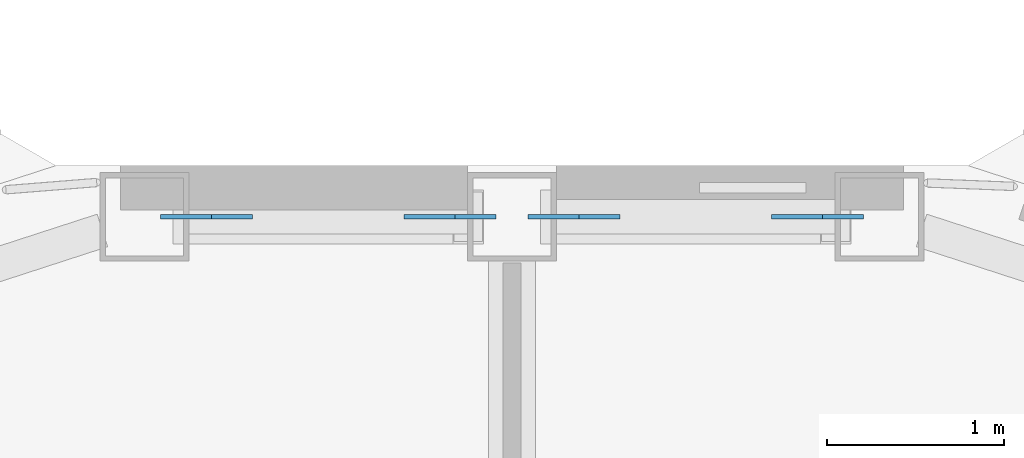
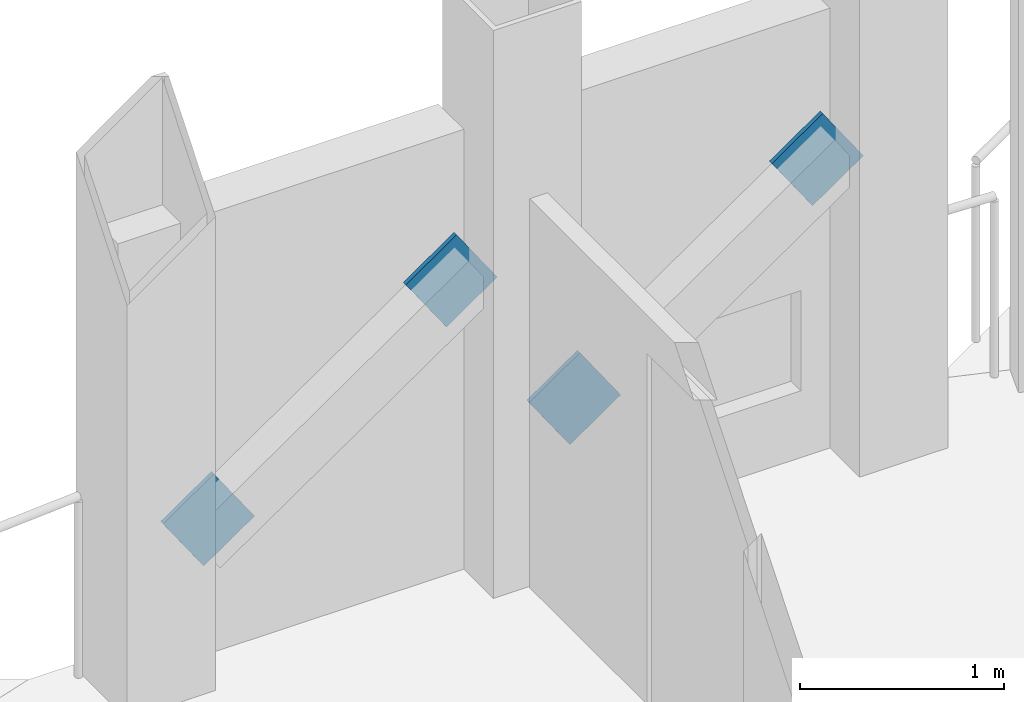
# One storey, part 21 of 26: 4 discrete accessories.
"""IFC4 building model written with IfcOpenShell, lengths in metres."""

import ifcopenshell
import ifcopenshell.guid

model = None  # the IFC model being written
_history = None  # IfcOwnerHistory: only IFC2X3 demands one
_inside = {}  # id of a spatial element -> (the spatial element, [elements in it])
_under = {}  # id of a project, library or spatial element -> (it, [spatial elements below it])
_declared = {}  # id of a project -> (the project, [libraries it declares])
_typed = {}  # id of a type object -> (the type object, [elements of that type])
_made_of = {}  # id of a material, layer set ... -> (it, [elements and type objects made of it])


def new_model(schema):
    """Start an empty IFC model of exactly this schema.

    Asked for "IFC4X3", IfcOpenShell would pick the latest addendum, in which some entities
    have other attributes; the version numbers below select the first issue.
    IFC2X3 requires an IfcOwnerHistory on every rooted entity: one is made here for all.
    """
    global model, _history
    if schema == "IFC4X3":
        model = ifcopenshell.file(schema_version=(4, 3, 0, 0))
    else:
        model = ifcopenshell.file(schema=schema)
    _inside.clear()
    _under.clear()
    _declared.clear()
    _typed.clear()
    _made_of.clear()
    _history = None
    if model.schema == "IFC2X3":
        org = make("IfcOrganization", Name="unknown")
        user = make(
            "IfcPersonAndOrganization",
            ThePerson=make("IfcPerson", FamilyName="unknown"),
            TheOrganization=org,
        )
        app = make(
            "IfcApplication",
            ApplicationDeveloper=org,
            Version="unknown",
            ApplicationFullName="unknown",
            ApplicationIdentifier="unknown",
        )
        _history = make(
            "IfcOwnerHistory",
            OwningUser=user,
            OwningApplication=app,
            ChangeAction="ADDED",
            CreationDate=0,
        )
    return model


def make(cls, **values):
    """One entity of the class cls with the attributes given. An attribute that is None is left unset."""
    return model.create_entity(
        cls, **{name: value for name, value in values.items() if value is not None}
    )


def rooted(cls, **values):
    """An entity with a GlobalId (a new one), such as an element, a storey or a relation."""
    return make(cls, GlobalId=ifcopenshell.guid.new(), OwnerHistory=_history, **values)


def si_unit(unit_type, name, prefix=None):
    """IfcSIUnit, for example si_unit("LENGTHUNIT", "METRE", prefix="MILLI")."""
    return make("IfcSIUnit", UnitType=unit_type, Prefix=prefix, Name=name)


def assignment(units):
    """IfcUnitAssignment: the units of a project."""
    return None if units is None else make("IfcUnitAssignment", Units=units)


def point(xyz):
    """IfcCartesianPoint."""
    return None if xyz is None else make("IfcCartesianPoint", Coordinates=xyz)


def direction(xyz):
    """IfcDirection."""
    return None if xyz is None else make("IfcDirection", DirectionRatios=xyz)


def frame(location, z_axis=None, x_axis=None):
    """IfcAxis2Placement3D, a coordinate frame: its origin and axes. An axis left out is left unset."""
    return make(
        "IfcAxis2Placement3D",
        Location=point(location),
        Axis=direction(z_axis),
        RefDirection=direction(x_axis),
    )


def frame_2d(location, x_axis=None):
    """IfcAxis2Placement2D, a coordinate frame in the plane: its origin and x axis."""
    return make(
        "IfcAxis2Placement2D", Location=point(location), RefDirection=direction(x_axis)
    )


def origin():
    """The frame at (0, 0, 0) with its axes left unset."""
    return frame((0.0, 0.0, 0.0))


def origin_2d():
    """The frame at (0, 0) in the plane with its x axis left unset."""
    return frame_2d((0.0, 0.0))


def place(relative_to, where):
    """IfcLocalPlacement: puts the frame where relative to a parent placement (None: the world)."""
    return make(
        "IfcLocalPlacement", PlacementRelTo=relative_to, RelativePlacement=where
    )


def context(
    kind, dimensions, precision=None, world=None, true_north=None, identifier=None
):
    """IfcGeometricRepresentationContext, for example the 3D "Model" context."""
    return make(
        "IfcGeometricRepresentationContext",
        ContextIdentifier=identifier,
        ContextType=kind,
        CoordinateSpaceDimension=dimensions,
        Precision=precision,
        WorldCoordinateSystem=world,
        TrueNorth=true_north,
    )


def subcontext(parent, identifier, kind, view, scale=None):
    """IfcGeometricRepresentationSubContext, for example "Body" below "Model"."""
    return make(
        "IfcGeometricRepresentationSubContext",
        ContextIdentifier=identifier,
        ContextType=kind,
        ParentContext=parent,
        TargetScale=scale,
        TargetView=view,
    )


def project(units=None, contexts=None):
    """IfcProject with its units and contexts."""
    return rooted(
        "IfcProject",
        Name="project",
        RepresentationContexts=contexts,
        UnitsInContext=assignment(units),
    )


def spatial(cls, under=None, at=None, **own):
    """A site, building, storey or space (cls), placed at a placement, below another one or the project."""
    s = rooted(cls, ObjectPlacement=at, **own)
    if under is not None:
        _under.setdefault(under.id(), (under, []))[1].append(s)
    return s


def profile(cls, at=None, kind="AREA", **sizes):
    """A parametric profile (cls). Its sizes go by their IFC names, for example OverallWidth=200.0."""
    return make(cls, ProfileType=kind, Position=at, **sizes)


def rectangle(**sizes):
    """IfcRectangleProfileDef."""
    return profile("IfcRectangleProfileDef", **sizes)


def extrude(swept, where, along, depth):
    """IfcExtrudedAreaSolid: the profile swept, set in the frame where, extruded along a direction by depth."""
    return make(
        "IfcExtrudedAreaSolid",
        SweptArea=swept,
        Position=where,
        ExtrudedDirection=direction(along),
        Depth=depth,
    )


def shape(context_of_items, identifier, shape_type, items):
    """IfcShapeRepresentation: the items that make up one representation, for example the "Body"."""
    return make(
        "IfcShapeRepresentation",
        ContextOfItems=context_of_items,
        RepresentationIdentifier=identifier,
        RepresentationType=shape_type,
        Items=items,
    )


def material(Name=None, Category=None):
    """IfcMaterial."""
    return make("IfcMaterial", Name=Name, Category=Category)


def material_profile(
    of_material, cross_section, Name=None, Category=None, Priority=None
):
    """IfcMaterialProfile: a cross section and its material."""
    return make(
        "IfcMaterialProfile",
        Name=Name,
        Material=of_material,
        Profile=cross_section,
        Priority=Priority,
        Category=Category,
    )


def profile_set(profiles, Name=None, composite=None):
    """IfcMaterialProfileSet."""
    return make(
        "IfcMaterialProfileSet",
        Name=Name,
        MaterialProfiles=profiles,
        CompositeProfile=composite,
    )


def made_of(thing, what):
    """Note that an element or type object is made of a material, layer set ...; save() writes the relation."""
    if what is not None:
        _made_of.setdefault(what.id(), (what, []))[1].append(thing)
    return thing


def type_object(cls, material=None, **own):
    """A type object (cls), such as IfcWallType, which elements share."""
    return made_of(rooted(cls, **own), material)


def element(
    cls,
    number,
    at=None,
    inside=None,
    cuts=None,
    type_object=None,
    material=None,
    context=None,
    identifier="Body",
    shape_type=None,
    held_by="IfcProductDefinitionShape",
    body=None,
    shapes=None,
    **own,
):
    """One element of the class cls, such as IfcWall. Its Tag is "e" and its number.

    at: its placement. inside: the storey or other place that contains it. cuts: it is an
    opening in that element (IfcRelVoidsElement). A single representation is given by context,
    identifier, shape_type and body (its items); several are given by shapes. held_by: the class
    of the entity that holds the representations. save() writes the other relations.
    """
    e = rooted(cls, Tag="e%d" % number, ObjectPlacement=at, **own)
    if body is not None:
        shapes = [shape(context, identifier, shape_type, body)]
    if shapes is not None:
        e.Representation = make(held_by, Representations=shapes)
    if inside is not None:
        _inside.setdefault(inside.id(), (inside, []))[1].append(e)
    if cuts is not None:
        rooted(
            "IfcRelVoidsElement", RelatingBuildingElement=cuts, RelatedOpeningElement=e
        )
    if type_object is not None:
        _typed.setdefault(type_object.id(), (type_object, []))[1].append(e)
    return made_of(e, material)


def aggregate(whole, parts):
    """IfcRelAggregates: a whole, such as a stair, and the parts it consists of."""
    return rooted("IfcRelAggregates", RelatingObject=whole, RelatedObjects=parts)


def save(model, path):
    """Write the relations noted so far, then the file.

    IfcRelAggregates (storeys below a building ...), IfcRelContainedInSpatialStructure (elements
    in a storey), IfcRelDefinesByType, IfcRelAssociatesMaterial and IfcRelDeclares: one each for
    every whole, place, type object, material and project.
    """
    for whole, parts in _under.values():
        aggregate(whole, parts)
    for where, things in _inside.values():
        rooted(
            "IfcRelContainedInSpatialStructure",
            RelatedElements=things,
            RelatingStructure=where,
        )
    for kind, things in _typed.values():
        rooted("IfcRelDefinesByType", RelatedObjects=things, RelatingType=kind)
    for what, things in _made_of.values():
        rooted("IfcRelAssociatesMaterial", RelatedObjects=things, RelatingMaterial=what)
    for by, libraries in _declared.values():
        rooted("IfcRelDeclares", RelatingContext=by, RelatedDefinitions=libraries)
    model.write(path)


model = new_model("IFC4")

# Units and contexts
model_context = context("Model", 3, precision=1e-05, world=origin(), true_north=direction((0.0, 1.0)))
body_context = subcontext(model_context, "Body", "Model", "MODEL_VIEW")
ifc_project = project(units=[si_unit("LENGTHUNIT", "METRE"), si_unit("AREAUNIT", "SQUARE_METRE"), si_unit("VOLUMEUNIT", "CUBIC_METRE"), si_unit("PLANEANGLEUNIT", "RADIAN"), si_unit("MASSUNIT", "GRAM", prefix="KILO")], contexts=[model_context])

# Site, building, storey
site_placement = place(None, origin())
site = spatial("IfcSite", under=ifc_project, at=site_placement, CompositionType="ELEMENT")
building_placement = place(site_placement, origin())
building = spatial("IfcBuilding", under=site, at=building_placement, Name="Cormorant Prow Tower", CompositionType="ELEMENT")
storey_placement = place(building_placement, frame((0.0, 0.0, 378.0)))
storey = spatial("IfcBuildingStorey", under=building, at=storey_placement, Name="L85", CompositionType="ELEMENT", Elevation=378.0)

# Discrete accessories
ifc_material = material(Name="Structural steel ASTM A500 Gr C", Category="steel")
ifc_material_profile = material_profile(ifc_material, rectangle(XDim=0.02490234375, YDim=0.405029296875, at=origin_2d()), Name="Gusset plate 25x405")
ifc_profile_set = profile_set([ifc_material_profile], Name="Structural steel ASTM A500 Gr C")
discrete_accessory_type = type_object("IfcDiscreteAccessoryType", Name="Gusset plate 25x405", PredefinedType="BRACKET", material=ifc_profile_set)
for number, where, z_axis, x_axis, name in (
    (1, (0.493408203125, 31.219482421875, 0.941162109375), (-0.822593864641, 0.0, -0.568629346635), (0.0, -1.0, 0.0), "Gusset plate GP3 L85.N00.g0"),
    (2, (1.580322265625, 31.219482421875, 1.692626953125), (0.822593864641, 0.0, 0.568629346635), (0.0, 1.0, 0.0), "Gusset plate GP3 L85.N00.g1"),
    (3, (-1.580322265625, 31.219482421875, 0.941162109375), (-0.822593864641, 0.0, -0.568629346635), (0.0, -1.0, 0.0), "Gusset plate GP3 L85.N01.g0"),
    (4, (-0.493408203125, 31.219482421875, 1.692626953125), (0.822593864641, 0.0, 0.568629346635), (0.0, 1.0, 0.0), "Gusset plate GP3 L85.N01.g1"),
):
    element("IfcDiscreteAccessory", number, at=place(storey_placement, frame(where, z_axis=z_axis, x_axis=x_axis)), inside=storey, type_object=discrete_accessory_type, Name=name, PredefinedType="BRACKET", context=body_context, shape_type="SweptSolid", body=[
        extrude(rectangle(XDim=0.02490234375, YDim=0.405029296875, at=origin_2d()), origin(), (0.0, 0.0, 1.0), 0.349853515625),
    ])

save(model, "model.ifc")
